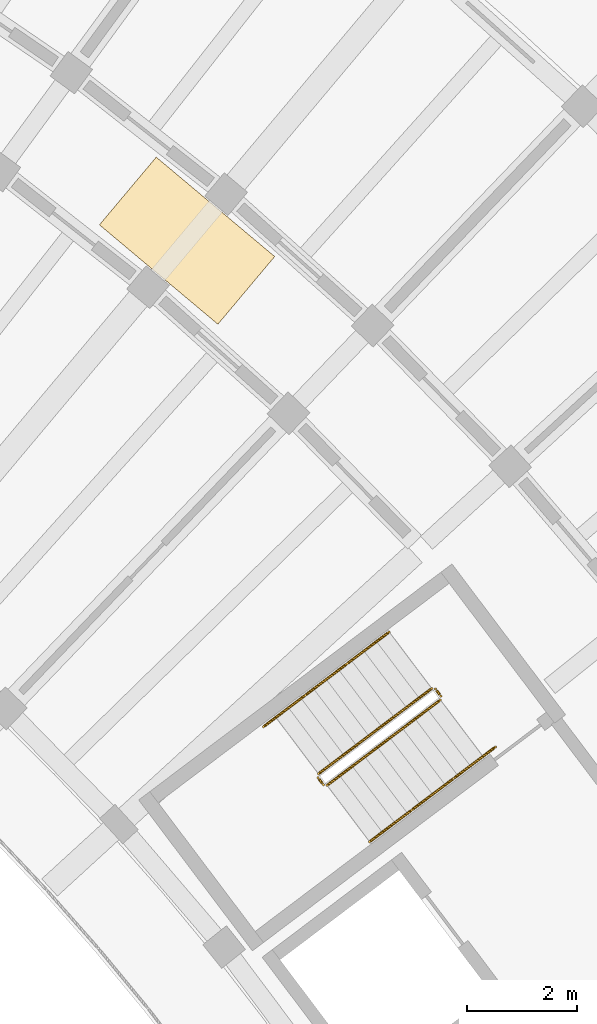
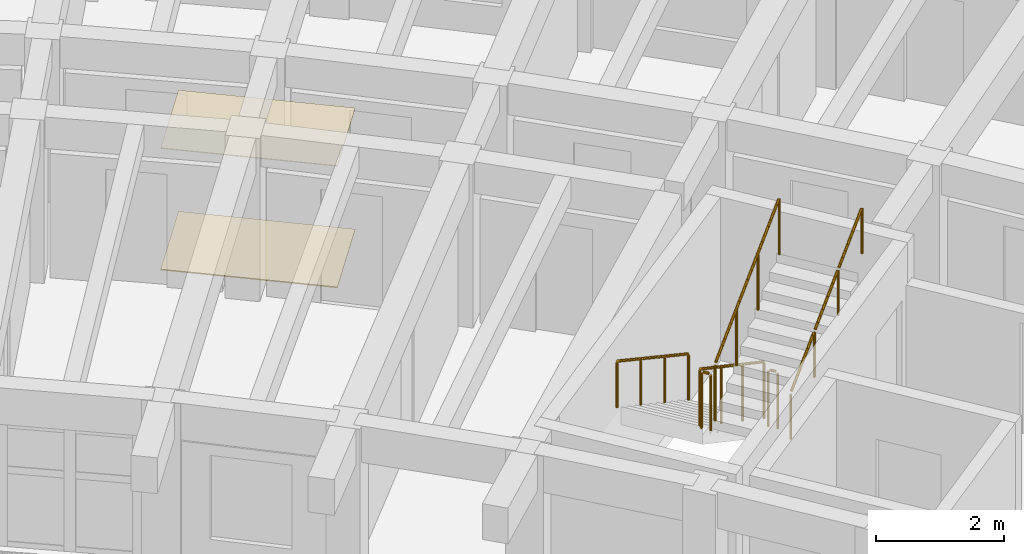
# One storey, part 93 of 96: 10 railings, 2 coverings.
"""IFC4 building model written with IfcOpenShell, lengths in metres."""

from ifc_helpers import new_model, si_unit, direction, frame, origin, origin_2d, place, context, subcontext, project, spatial, rectangle, circle, extrude, material, layer, layer_set, type_object, element, save


model = new_model("IFC4")

# Units and contexts
model_context = context("Model", 3, precision=1e-05, world=origin(), true_north=direction((0.0, 1.0)))
body_context = subcontext(model_context, "Body", "Model", "MODEL_VIEW")
ifc_project = project(units=[si_unit("LENGTHUNIT", "METRE"), si_unit("AREAUNIT", "SQUARE_METRE"), si_unit("VOLUMEUNIT", "CUBIC_METRE"), si_unit("PLANEANGLEUNIT", "RADIAN"), si_unit("MASSUNIT", "GRAM", prefix="KILO")], contexts=[model_context])

# Site, building, storey
site_placement = place(None, origin())
site = spatial("IfcSite", under=ifc_project, at=site_placement, CompositionType="ELEMENT")
building_placement = place(site_placement, origin())
building = spatial("IfcBuilding", under=site, at=building_placement, Name="Tanwirah Colonnade Gardens", CompositionType="ELEMENT")
storey_placement = place(building_placement, frame((0.0, 0.0, 12.199951171875)))
storey = spatial("IfcBuildingStorey", under=building, at=storey_placement, Name="L03", CompositionType="ELEMENT", Elevation=12.199951171875)

# Coverings
ifc_material_1 = material(Name="Acoustic perforated gypsum ceiling board")
ifc_layer_1 = layer(ifc_material_1, 0.014892578125)
ifc_layer_set_1 = layer_set([ifc_layer_1], Name="Acoustic perforated gypsum ceiling board")
covering_type_1 = type_object("IfcCoveringType", Name="COV-CEIL15", PredefinedType="CEILING", material=ifc_layer_set_1)
covering_1_placement = place(storey_placement, frame((155.03564453125, 100.761962890625, 2.3125), z_axis=(0.0, 0.0, 1.0), x_axis=(-0.766044443119, 0.642787609687, 0.0)))
element("IfcCovering", 1, at=covering_1_placement, inside=storey, type_object=covering_type_1, Name="Block B L03 Corridor Acoustic Ceiling", PredefinedType="CEILING", context=body_context, shape_type="SweptSolid", body=[
    extrude(rectangle(XDim=2.800048828125, YDim=1.60009765625, at=origin_2d()), origin(), (0.0, 0.0, 1.0), 0.014892578125),
])
ifc_material_2 = material(Name="Honed Abu Dhabi limestone terrazzo flooring", Category="masonry")
ifc_layer_2 = layer(ifc_material_2, 0.02001953125)
ifc_layer_set_2 = layer_set([ifc_layer_2], Name="Honed Abu Dhabi limestone terrazzo flooring")
covering_type_2 = type_object("IfcCoveringType", Name="COV-FLR20", PredefinedType="FLOORING", material=ifc_layer_set_2)
covering_2_placement = place(storey_placement, frame((155.03564453125, 100.761962890625, 0.0), z_axis=(0.0, 0.0, 1.0), x_axis=(-0.766044443119, 0.642787609687, 0.0)))
element("IfcCovering", 2, at=covering_2_placement, inside=storey, type_object=covering_type_2, Name="Block B L03 Corridor Terrazzo Flooring", PredefinedType="FLOORING", context=body_context, shape_type="SweptSolid", body=[
    extrude(rectangle(XDim=2.800048828125, YDim=1.60009765625, at=origin_2d()), origin(), (0.0, 0.0, 1.0), 0.02001953125),
])

# Railings
ifc_material_3 = material(Name="Powder-coated galvanized steel", Category="steel")
railing_type_1 = type_object("IfcRailingType", Name="GRD-ST110", PredefinedType="GUARDRAIL", material=ifc_material_3)
railing_1_placement = place(storey_placement, frame((159.46435546875, 92.6533203125, 0.16796875)))
element("IfcRailing", 3, at=railing_1_placement, inside=storey, type_object=railing_type_1, Name="L03 ST-B1 stair guard 1", PredefinedType="GUARDRAIL", context=body_context, shape_type="SweptSolid", body=[
    extrude(circle(Radius=0.02392578125, at=origin_2d()), frame((-0.021484375, -0.01611328125, 1.092041015625), z_axis=(-0.687998426946, -0.518417885, 0.507839601678), x_axis=(0.601795686627, -0.798650080797, 0.0)), (0.0, 0.0, 1.0), 2.914794921875),
    extrude(circle(Radius=0.02099609375, at=origin_2d()), origin(), (0.0, 0.0, 1.0), 1.049072265625),
    extrude(circle(Radius=0.02099609375, at=origin_2d()), frame((-0.682861328125, -0.514404296875, 0.50390625)), (0.0, 0.0, 1.0), 1.049072265625),
    extrude(circle(Radius=0.02099609375, at=origin_2d()), frame((-1.365478515625, -1.029052734375, 1.008056640625)), (0.0, 0.0, 1.0), 1.049072265625),
    extrude(circle(Radius=0.02099609375, at=origin_2d()), frame((-2.04833984375, -1.54345703125, 1.511962890625)), (0.0, 0.0, 1.0), 1.049072265625),
])
railing_2_placement = place(storey_placement, frame((157.406005859375, 91.039794921875, 1.679931640625)))
element("IfcRailing", 4, at=railing_2_placement, inside=storey, type_object=railing_type_1, Name="L03 ST-B1 stair guard 2", PredefinedType="GUARDRAIL", context=body_context, shape_type="SweptSolid", body=[
    extrude(circle(Radius=0.02392578125, at=origin_2d()), frame((0.018798828125, -0.02490234375, 1.076171875), z_axis=(0.601948835455, -0.798534657667, 0.0), x_axis=(0.798534657667, 0.601948835455, 0.0)), (0.0, 0.0, 1.0), 0.09765625),
    extrude(circle(Radius=0.02099609375, at=origin_2d()), origin(), (0.0, 0.0, 1.0), 1.049072265625),
    extrude(circle(Radius=0.02099609375, at=origin_2d()), frame((0.096435546875, -0.1279296875, 0.0)), (0.0, 0.0, 1.0), 1.049072265625),
])
railing_3_placement = place(storey_placement, frame((157.572265625, 90.902099609375, 1.84814453125)))
element("IfcRailing", 5, at=railing_3_placement, inside=storey, type_object=railing_type_1, Name="L03 ST-B1 stair guard 3", PredefinedType="GUARDRAIL", context=body_context, shape_type="SweptSolid", body=[
    extrude(circle(Radius=0.02392578125, at=origin_2d()), frame((0.021484375, 0.01611328125, 1.092041015625), z_axis=(0.688012363654, 0.518448596756, 0.507789365762), x_axis=(-0.601810650199, 0.798638805285, 0.0)), (0.0, 0.0, 1.0), 2.9150390625),
    extrude(circle(Radius=0.02099609375, at=origin_2d()), origin(), (0.0, 0.0, 1.0), 1.049072265625),
    extrude(circle(Radius=0.02099609375, at=origin_2d()), frame((0.682861328125, 0.5146484375, 0.50390625)), (0.0, 0.0, 1.0), 1.049072265625),
    extrude(circle(Radius=0.02099609375, at=origin_2d()), frame((1.36572265625, 1.029052734375, 1.008056640625)), (0.0, 0.0, 1.0), 1.049072265625),
    extrude(circle(Radius=0.02099609375, at=origin_2d()), frame((2.048583984375, 1.543701171875, 1.511962890625)), (0.0, 0.0, 1.0), 1.049072265625),
])
railing_4_placement = place(storey_placement, frame((159.534423828125, 92.6435546875, 0.0)))
element("IfcRailing", 6, at=railing_4_placement, inside=storey, type_object=railing_type_1, Name="L03 ST-B1 stair guard 4", PredefinedType="GUARDRAIL", context=body_context, shape_type="SweptSolid", body=[
    extrude(circle(Radius=0.02392578125, at=origin_2d()), frame((0.018798828125, -0.02490234375, 1.076171875), z_axis=(0.601709070646, -0.798715339969, 0.0), x_axis=(0.798715339969, 0.601709070646, 0.0)), (0.0, 0.0, 1.0), 0.097412109375),
    extrude(circle(Radius=0.02099609375, at=origin_2d()), origin(), (0.0, 0.0, 1.0), 1.049072265625),
    extrude(circle(Radius=0.02099609375, at=origin_2d()), frame((0.09619140625, -0.127685546875, 0.0)), (0.0, 0.0, 1.0), 1.049072265625),
])
ifc_material_4 = material(Name="Brushed bronze stainless steel", Category="steel")
railing_type_2 = type_object("IfcRailingType", Name="HR-ST090", PredefinedType="HANDRAIL", material=ifc_material_4)
railing_5_placement = place(storey_placement, frame((158.694091796875, 93.67578125, 0.16796875)))
element("IfcRailing", 7, at=railing_5_placement, inside=storey, type_object=railing_type_2, Name="L03 ST-B1 stair handrail 1", PredefinedType="HANDRAIL", context=body_context, shape_type="SweptSolid", body=[
    extrude(circle(Radius=0.02392578125, at=origin_2d()), frame((-0.021484375, -0.01611328125, 0.891845703125), z_axis=(-0.686067825084, -0.516979036791, 0.511901958292), x_axis=(0.601807485929, -0.798641189696, 0.0)), (0.0, 0.0, 1.0), 1.04345703125),
    extrude(circle(Radius=0.02099609375, at=origin_2d()), origin(), (0.0, 0.0, 1.0), 0.848876953125),
    extrude(circle(Radius=0.02099609375, at=origin_2d()), frame((-0.7587890625, -0.57177734375, 0.566162109375)), (0.0, 0.0, 1.0), 0.848876953125),
])
railing_6_placement = place(storey_placement, frame((157.935302734375, 93.10400390625, 0.734130859375)))
element("IfcRailing", 8, at=railing_6_placement, inside=storey, type_object=railing_type_2, Name="L03 ST-B1 stair handrail 2", PredefinedType="HANDRAIL", context=body_context, shape_type="SweptSolid", body=[
    extrude(circle(Radius=0.02392578125, at=origin_2d()), frame((-0.021484375, -0.01611328125, 0.891845703125), z_axis=(-0.686028488458, -0.517115777267, 0.511816554955), x_axis=(0.601931007785, -0.798548096152, 0.0)), (0.0, 0.0, 1.0), 1.043212890625),
    extrude(circle(Radius=0.02099609375, at=origin_2d()), origin(), (0.0, 0.0, 1.0), 0.848876953125),
    extrude(circle(Radius=0.02099609375, at=origin_2d()), frame((-0.758544921875, -0.57177734375, 0.56591796875)), (0.0, 0.0, 1.0), 0.848876953125),
])
railing_7_placement = place(storey_placement, frame((157.1767578125, 92.5322265625, 1.300048828125)))
element("IfcRailing", 9, at=railing_7_placement, inside=storey, type_object=railing_type_2, Name="L03 ST-B1 stair handrail 3", PredefinedType="HANDRAIL", context=body_context, shape_type="SweptSolid", body=[
    extrude(circle(Radius=0.02392578125, at=origin_2d()), frame((-0.021484375, -0.01611328125, 0.891845703125), z_axis=(-0.686145346169, -0.517037451972, 0.51173903231), x_axis=(0.601807485929, -0.798641189696, 0.0)), (0.0, 0.0, 1.0), 1.04345703125),
    extrude(circle(Radius=0.02099609375, at=origin_2d()), origin(), (0.0, 0.0, 1.0), 0.848876953125),
    extrude(circle(Radius=0.02099609375, at=origin_2d()), frame((-0.7587890625, -0.57177734375, 0.56591796875)), (0.0, 0.0, 1.0), 0.848876953125),
])
railing_8_placement = place(storey_placement, frame((158.3427734375, 89.8798828125, 1.84814453125)))
element("IfcRailing", 10, at=railing_8_placement, inside=storey, type_object=railing_type_2, Name="L03 ST-B1 stair handrail 4", PredefinedType="HANDRAIL", context=body_context, shape_type="SweptSolid", body=[
    extrude(circle(Radius=0.02392578125, at=origin_2d()), frame((0.021484375, 0.01611328125, 0.891845703125), z_axis=(0.686028488458, 0.517115777267, 0.511816554955), x_axis=(-0.601931007785, 0.798548096152, 0.0)), (0.0, 0.0, 1.0), 1.043212890625),
    extrude(circle(Radius=0.02099609375, at=origin_2d()), origin(), (0.0, 0.0, 1.0), 0.848876953125),
    extrude(circle(Radius=0.02099609375, at=origin_2d()), frame((0.758544921875, 0.57177734375, 0.56591796875)), (0.0, 0.0, 1.0), 0.848876953125),
])
railing_9_placement = place(storey_placement, frame((159.101318359375, 90.45166015625, 2.4140625)))
element("IfcRailing", 11, at=railing_9_placement, inside=storey, type_object=railing_type_2, Name="L03 ST-B1 stair handrail 5", PredefinedType="HANDRAIL", context=body_context, shape_type="SweptSolid", body=[
    extrude(circle(Radius=0.02392578125, at=origin_2d()), frame((0.021484375, 0.01611328125, 0.891845703125), z_axis=(0.686145346169, 0.517037451972, 0.51173903231), x_axis=(-0.601807485929, 0.798641189696, 0.0)), (0.0, 0.0, 1.0), 1.04345703125),
    extrude(circle(Radius=0.02099609375, at=origin_2d()), origin(), (0.0, 0.0, 1.0), 0.848876953125),
    extrude(circle(Radius=0.02099609375, at=origin_2d()), frame((0.7587890625, 0.57177734375, 0.56591796875)), (0.0, 0.0, 1.0), 0.848876953125),
])
railing_10_placement = place(storey_placement, frame((159.860107421875, 91.0234375, 2.97998046875)))
element("IfcRailing", 12, at=railing_10_placement, inside=storey, type_object=railing_type_2, Name="L03 ST-B1 stair handrail 6", PredefinedType="HANDRAIL", context=body_context, shape_type="SweptSolid", body=[
    extrude(circle(Radius=0.02392578125, at=origin_2d()), frame((0.021484375, 0.01611328125, 0.891845703125), z_axis=(0.686146115326, 0.516817263828, 0.511960373694), x_axis=(-0.601643549736, 0.798764695677, 0.0)), (0.0, 0.0, 1.0), 1.04345703125),
    extrude(circle(Radius=0.02099609375, at=origin_2d()), origin(), (0.0, 0.0, 1.0), 0.848876953125),
    extrude(circle(Radius=0.02099609375, at=origin_2d()), frame((0.7587890625, 0.571533203125, 0.566162109375)), (0.0, 0.0, 1.0), 0.848876953125),
])

save(model, "model.ifc")
